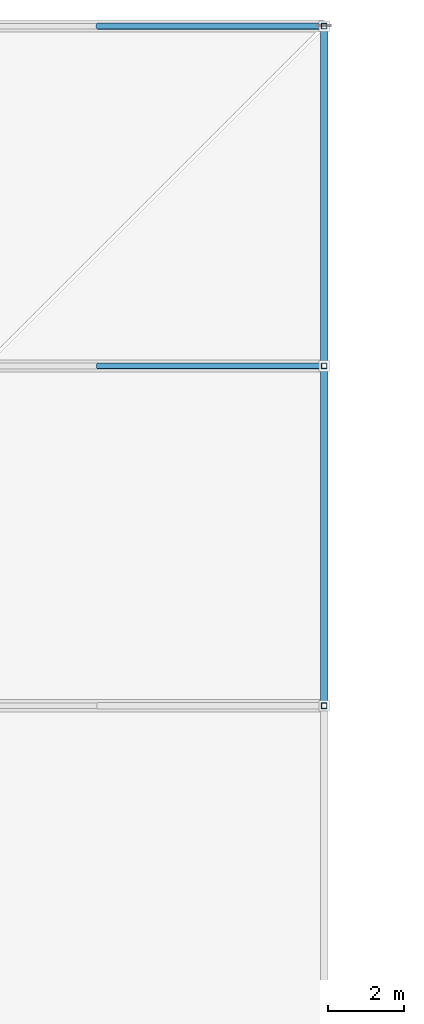
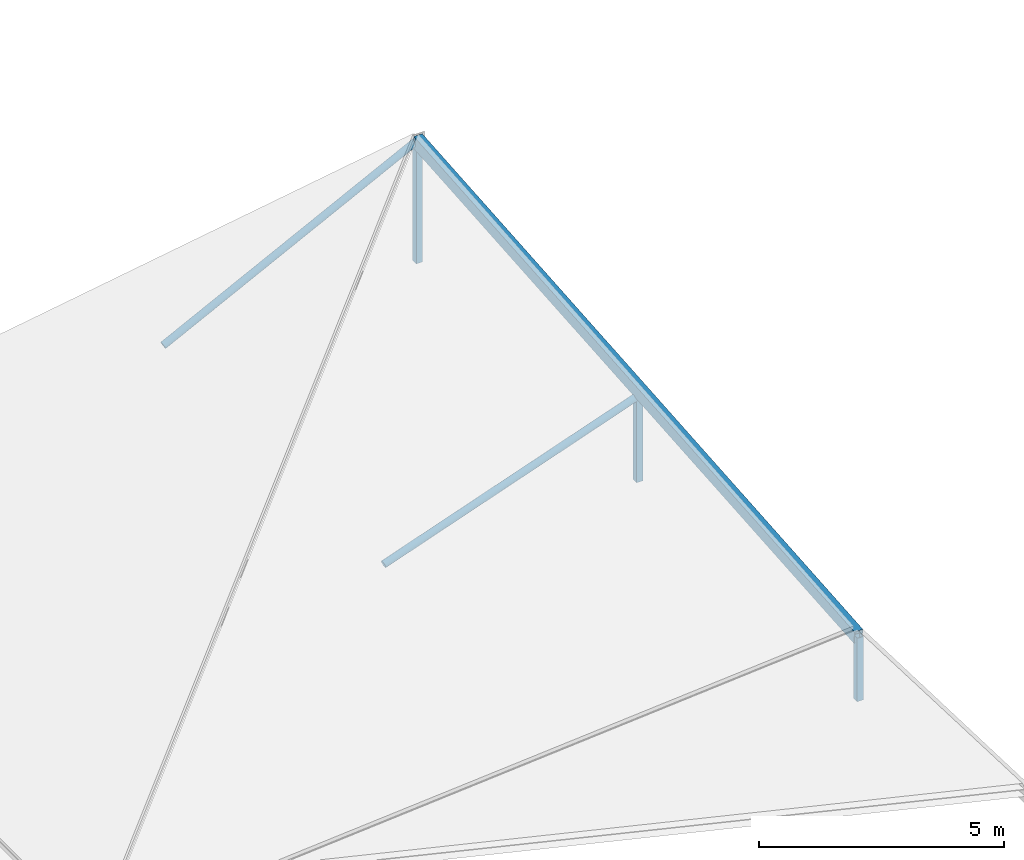
# One storey, part 33 of 44: 6 members.
"""IFC4 building model written with IfcOpenShell, lengths in metres."""

from ifc_helpers import new_model, si_unit, direction, frame, origin, origin_2d, place, context, subcontext, project, spatial, hollow_rectangle, hollow_circle, extrude, material, material_profile, profile_set, type_object, element, save


model = new_model("IFC4")

# Units and contexts
model_context = context("Model", 3, precision=1e-05, world=origin(), true_north=direction((0.0, 1.0)))
body_context = subcontext(model_context, "Body", "Model", "MODEL_VIEW")
ifc_project = project(units=[si_unit("LENGTHUNIT", "METRE"), si_unit("AREAUNIT", "SQUARE_METRE"), si_unit("VOLUMEUNIT", "CUBIC_METRE"), si_unit("PLANEANGLEUNIT", "RADIAN"), si_unit("MASSUNIT", "GRAM", prefix="KILO")], contexts=[model_context])

# Site, building, storey
site_placement = place(None, origin())
site = spatial("IfcSite", under=ifc_project, at=site_placement, CompositionType="ELEMENT")
building_placement = place(site_placement, origin())
building = spatial("IfcBuilding", under=site, at=building_placement, Name="Deido Ridge Mobility Hub", CompositionType="ELEMENT")
storey_placement = place(building_placement, frame((0.0, 0.0, 25.199951171875)))
storey = spatial("IfcBuildingStorey", under=building, at=storey_placement, Name="L06", CompositionType="ELEMENT", Elevation=25.199951171875)

# Members
ifc_material = material(Name="Steel S355J2H EN 10210-1", Category="steel")
ifc_material_profile_1 = material_profile(ifc_material, hollow_rectangle(XDim=0.199951171875, YDim=0.300048828125, WallThickness=0.012451171875, at=origin_2d()), Name="RHS 300x200x12.5")
ifc_profile_set_1 = profile_set([ifc_material_profile_1], Name="Steel S355J2H EN 10210-1")
member_type_1 = type_object("IfcMemberType", Name="MEM-CHD-RHS300", PredefinedType="CHORD", material=ifc_profile_set_1)
member_1_placement = place(storey_placement, frame((99.0, 63.0, 1.56005859375), z_axis=(0.0, 0.996815536467, 0.079741998075), x_axis=(-1.0, 0.0, 0.0)))
element("IfcMember", 1, at=member_1_placement, inside=storey, type_object=member_type_1, Name="Origami longitudinal ridge chord CH1", PredefinedType="CHORD", context=body_context, shape_type="SweptSolid", body=[
    extrude(hollow_rectangle(XDim=0.199951171875, YDim=0.300048828125, WallThickness=0.012451171875, at=origin_2d()), origin(), (0.0, 0.0, 1.0), 18.0576171875),
])
ifc_material_profile_2 = material_profile(ifc_material, hollow_rectangle(XDim=0.14990234375, YDim=0.14990234375, WallThickness=0.008056640625, at=origin_2d()), Name="SHS 150x150x8")
ifc_profile_set_2 = profile_set([ifc_material_profile_2], Name="Steel S355J2H EN 10210-1")
member_type_2 = type_object("IfcMemberType", Name="MEM-PST-SHS150", PredefinedType="POST", material=ifc_profile_set_2)
member_2_placement = place(storey_placement, frame((99.0, 63.0, 0.0), z_axis=(0.0, 0.0, 1.0), x_axis=(1.0, 0.0, 0.0)))
element("IfcMember", 2, at=member_2_placement, inside=storey, type_object=member_type_2, Name="Origami eaves post PS1", PredefinedType="POST", context=body_context, shape_type="SweptSolid", body=[
    extrude(hollow_rectangle(XDim=0.14990234375, YDim=0.14990234375, WallThickness=0.008056640625, at=origin_2d()), origin(), (0.0, 0.0, 1.0), 1.580078125),
])
member_3_placement = place(storey_placement, frame((99.0, 72.0, 0.0), z_axis=(0.0, 0.0, 1.0), x_axis=(1.0, 0.0, 0.0)))
element("IfcMember", 3, at=member_3_placement, inside=storey, type_object=member_type_2, Name="Origami eaves post PS1", PredefinedType="POST", context=body_context, shape_type="SweptSolid", body=[
    extrude(hollow_rectangle(XDim=0.14990234375, YDim=0.14990234375, WallThickness=0.008056640625, at=origin_2d()), origin(), (0.0, 0.0, 1.0), 2.10009765625),
])
member_4_placement = place(storey_placement, frame((99.0, 81.0, 0.0), z_axis=(0.0, 0.0, 1.0), x_axis=(1.0, 0.0, 0.0)))
element("IfcMember", 4, at=member_4_placement, inside=storey, type_object=member_type_2, Name="Origami eaves post PS1", PredefinedType="POST", context=body_context, shape_type="SweptSolid", body=[
    extrude(hollow_rectangle(XDim=0.14990234375, YDim=0.14990234375, WallThickness=0.008056640625, at=origin_2d()), origin(), (0.0, 0.0, 1.0), 3.02001953125),
])
ifc_material_profile_3 = material_profile(ifc_material, hollow_circle(Radius=0.084228515625, WallThickness=0.008056640625, at=origin_2d()), Name="CHS 168.3x8")
ifc_profile_set_3 = profile_set([ifc_material_profile_3], Name="Steel S355J2H EN 10210-1")
member_type_3 = type_object("IfcMemberType", Name="MEM-STR-CHS168", PredefinedType="STRUT", material=ifc_profile_set_3)
member_5_placement = place(storey_placement, frame((93.0, 72.0, 0.0), z_axis=(0.943853566271, 0.0, 0.330364110395), x_axis=(0.0, 1.0, 0.0)))
element("IfcMember", 5, at=member_5_placement, inside=storey, type_object=member_type_3, Name="Origami diagonal web SR1", PredefinedType="STRUT", context=body_context, shape_type="SweptSolid", body=[
    extrude(hollow_circle(Radius=0.084228515625, WallThickness=0.008056640625, at=origin_2d()), origin(), (0.0, 0.0, 1.0), 6.35693359375),
])
member_6_placement = place(storey_placement, frame((93.0, 81.0, 0.0), z_axis=(0.893231874211, 0.0, 0.449596284342), x_axis=(0.0, 1.0, 0.0)))
element("IfcMember", 6, at=member_6_placement, inside=storey, type_object=member_type_3, Name="Origami diagonal web SR1", PredefinedType="STRUT", context=body_context, shape_type="SweptSolid", body=[
    extrude(hollow_circle(Radius=0.084228515625, WallThickness=0.008056640625, at=origin_2d()), origin(), (0.0, 0.0, 1.0), 6.71728515625),
])

save(model, "model.ifc")
